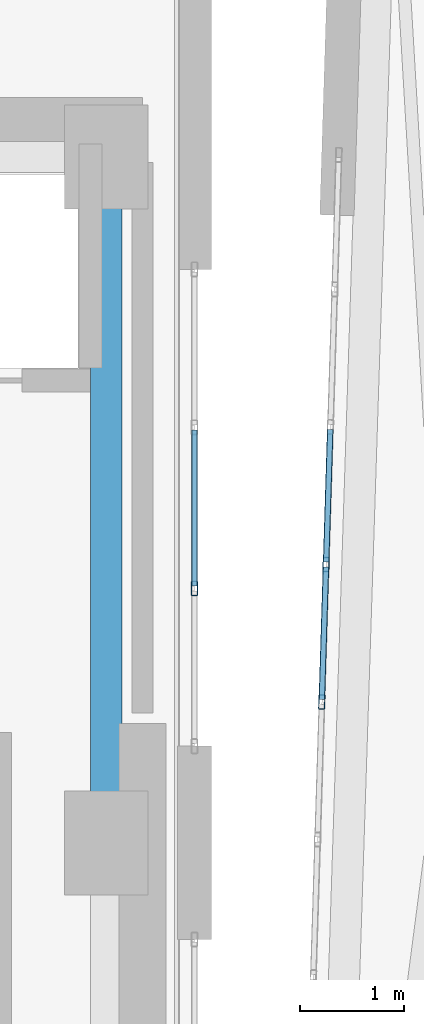
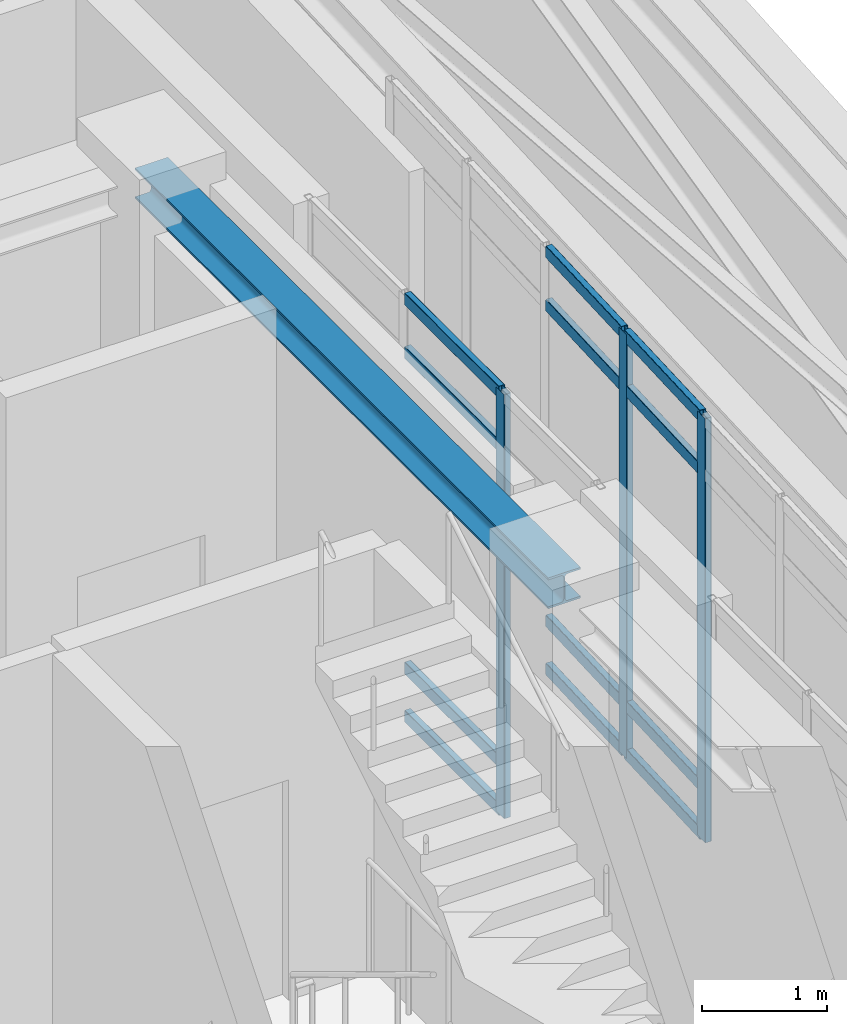
# One storey, part 9 of 19: 15 members, 1 beam, 2 elements without a shape of their own.
"""IFC4 building model written with IfcOpenShell, lengths in metres."""

from ifc_helpers import new_model, si_unit, direction, frame, origin, origin_2d, place, context, subcontext, project, spatial, hollow_rectangle, i_section, extrude, material, layer, layer_set, material_profile, profile_set, type_object, element, aggregate, save


model = new_model("IFC4")

# Units and contexts
model_context = context("Model", 3, precision=1e-05, world=origin(), true_north=direction((0.0, 1.0)))
body_context = subcontext(model_context, "Body", "Model", "MODEL_VIEW")
ifc_project = project(units=[si_unit("LENGTHUNIT", "METRE"), si_unit("AREAUNIT", "SQUARE_METRE"), si_unit("VOLUMEUNIT", "CUBIC_METRE"), si_unit("PLANEANGLEUNIT", "RADIAN"), si_unit("MASSUNIT", "GRAM", prefix="KILO")], contexts=[model_context])

# Site, building, storey
site_placement = place(None, origin())
site = spatial("IfcSite", under=ifc_project, at=site_placement, CompositionType="ELEMENT")
building_placement = place(site_placement, origin())
building = spatial("IfcBuilding", under=site, at=building_placement, Name="Ndelora Gate Hotel", CompositionType="ELEMENT")
storey_placement = place(building_placement, frame((0.0, 0.0, 286.0)))
storey = spatial("IfcBuildingStorey", under=building, at=storey_placement, Name="L71", CompositionType="ELEMENT", Elevation=286.0)

# Beam
ifc_material_1 = material(Name="Steel S355", Category="steel")
ifc_material_profile_1 = material_profile(ifc_material_1, i_section(OverallWidth=0.300048828125, OverallDepth=0.300048828125, WebThickness=0.010986328125, FlangeThickness=0.01904296875, FilletRadius=0.027099609375, at=origin_2d()), Name="HEB 300")
ifc_profile_set_1 = profile_set([ifc_material_profile_1], Name="Steel S355")
beam_type = type_object("IfcBeamType", Name="BM-CORE-300", PredefinedType="BEAM", material=ifc_profile_set_1)
beam_placement = place(storey_placement, frame((8.0, 0.0, 3.97998046875), z_axis=(0.0, 1.0, 0.0), x_axis=(-1.0, 0.0, 0.0)))
element("IfcBeam", 1, at=beam_placement, inside=storey, type_object=beam_type, Name="L71 Core Tie Girder CC4-CC5", PredefinedType="BEAM", context=body_context, shape_type="SweptSolid", body=[
    extrude(i_section(OverallWidth=0.300048828125, OverallDepth=0.300048828125, WebThickness=0.010986328125, FlangeThickness=0.01904296875, FilletRadius=0.027099609375, at=origin_2d()), origin(), (0.0, 0.0, 1.0), 6.60009765625),
])

# Curtain wall, member
ifc_material_2 = material(Name="Bronze Anodised Unitised Aluminium and Low-E Glass", Category="aluminium")
ifc_layer = layer(ifc_material_2, 0.199951171875)
ifc_layer_set = layer_set([ifc_layer], Name="Bronze Anodised Unitised Aluminium and Low-E Glass")
curtain_wall_type = type_object("IfcCurtainWallType", Name="CW-SYS-8", PredefinedType="NOTDEFINED", material=ifc_layer_set)
curtain_wall_1_placement = place(storey_placement, origin())
curtain_wall_1 = element("IfcCurtainWall", 2, at=curtain_wall_1_placement, inside=storey, type_object=curtain_wall_type, Name="L71 Split-Crown West Cleft Lantern Curtain Wall CW8-2", PredefinedType="NOTDEFINED")
ifc_material_3 = material(Name="Bronze Anodised Aluminium 6063-T6", Category="aluminium")
ifc_material_profile_2 = material_profile(ifc_material_3, hollow_rectangle(XDim=0.06005859375, YDim=0.139892578125, WallThickness=0.00390625, InnerFilletRadius=0.00390625, OuterFilletRadius=0.008056640625, at=origin_2d()), Name="ALU 140x60x4")
ifc_profile_set_2 = profile_set([ifc_material_profile_2], Name="Bronze Anodised Aluminium 6063-T6")
member_type_1 = type_object("IfcMemberType", Name="MB-CW-MUL140", PredefinedType="MULLION", material=ifc_profile_set_2)
member_1_placement = place(storey_placement, frame((8.85009765625, 2.449951171875, -0.00390625), z_axis=(0.0, 0.0, 1.0), x_axis=(-1.0, 0.0, 0.0)))
member_1 = element("IfcMember", 3, at=member_1_placement, type_object=member_type_1, Name="CW8 mullion 2", PredefinedType="MULLION", context=body_context, shape_type="SweptSolid", body=[
    extrude(hollow_rectangle(XDim=0.06005859375, YDim=0.139892578125, WallThickness=0.00390625, InnerFilletRadius=0.00390625, OuterFilletRadius=0.008056640625, at=origin_2d()), origin(), (0.0, 0.0, 1.0), 4.137939453125),
])

# Curtain wall, members
curtain_wall_2_placement = place(storey_placement, origin())
curtain_wall_2 = element("IfcCurtainWall", 4, at=curtain_wall_2_placement, inside=storey, type_object=curtain_wall_type, Name="L71 Split-Crown East Cleft Lantern Curtain Wall CW8", PredefinedType="NOTDEFINED")
member_2_placement = place(storey_placement, frame((10.115966796875, 2.68017578125, -0.00390625), z_axis=(0.0, 0.0, 1.0), x_axis=(0.999515302198, -0.031131345484, 0.0)))
member_2 = element("IfcMember", 5, at=member_2_placement, type_object=member_type_1, Name="CW8 mullion 4", PredefinedType="MULLION", context=body_context, shape_type="SweptSolid", body=[
    extrude(hollow_rectangle(XDim=0.06005859375, YDim=0.139892578125, WallThickness=0.00390625, InnerFilletRadius=0.00390625, OuterFilletRadius=0.008056640625, at=origin_2d()), origin(), (0.0, 0.0, 1.0), 4.137939453125),
])
member_3_placement = place(storey_placement, frame((10.074951171875, 1.356201171875, -0.00390625), z_axis=(0.0, 0.0, 1.0), x_axis=(0.999515302198, -0.031131345484, 0.0)))
member_3 = element("IfcMember", 6, at=member_3_placement, type_object=member_type_1, Name="CW8 mullion 5", PredefinedType="MULLION", context=body_context, shape_type="SweptSolid", body=[
    extrude(hollow_rectangle(XDim=0.06005859375, YDim=0.139892578125, WallThickness=0.00390625, InnerFilletRadius=0.00390625, OuterFilletRadius=0.008056640625, at=origin_2d()), origin(), (0.0, 0.0, 1.0), 4.137939453125),
])

# Member
ifc_material_profile_3 = material_profile(ifc_material_3, hollow_rectangle(XDim=0.06005859375, YDim=0.1201171875, WallThickness=0.00390625, InnerFilletRadius=0.00390625, OuterFilletRadius=0.008056640625, at=origin_2d()), Name="ALU 120x60x4")
ifc_profile_set_3 = profile_set([ifc_material_profile_3], Name="Bronze Anodised Aluminium 6063-T6")
member_type_2 = type_object("IfcMemberType", Name="MB-CW-TRN120", PredefinedType="USERDEFINED", material=ifc_profile_set_3)
member_4_placement = place(storey_placement, frame((8.85009765625, 2.47412109375, 0.030029296875), z_axis=(0.0, 1.0, 0.0), x_axis=(-1.0, 0.0, 0.0)))
member_4 = element("IfcMember", 7, at=member_4_placement, type_object=member_type_2, Name="CW8 transom 2.1", ObjectType="TRANSOM", PredefinedType="USERDEFINED", context=body_context, shape_type="SweptSolid", body=[
    extrude(hollow_rectangle(XDim=0.06005859375, YDim=0.1201171875, WallThickness=0.00390625, InnerFilletRadius=0.00390625, OuterFilletRadius=0.008056640625, at=origin_2d()), origin(), (0.0, 0.0, 1.0), 1.501953125),
])

member_5_placement = place(storey_placement, frame((8.85009765625, 2.47412109375, 0.5), z_axis=(0.0, 1.0, 0.0), x_axis=(-1.0, 0.0, 0.0)))
member_5 = element("IfcMember", 8, at=member_5_placement, type_object=member_type_2, Name="CW8 transom 2.2", ObjectType="TRANSOM", PredefinedType="USERDEFINED", context=body_context, shape_type="SweptSolid", body=[
    extrude(hollow_rectangle(XDim=0.06005859375, YDim=0.1201171875, WallThickness=0.00390625, InnerFilletRadius=0.00390625, OuterFilletRadius=0.008056640625, at=origin_2d()), origin(), (0.0, 0.0, 1.0), 1.501953125),
])

member_6_placement = place(storey_placement, frame((8.85009765625, 2.47412109375, 3.580078125), z_axis=(0.0, 1.0, 0.0), x_axis=(-1.0, 0.0, 0.0)))
member_6 = element("IfcMember", 9, at=member_6_placement, type_object=member_type_2, Name="CW8 transom 2.3", ObjectType="TRANSOM", PredefinedType="USERDEFINED", context=body_context, shape_type="SweptSolid", body=[
    extrude(hollow_rectangle(XDim=0.06005859375, YDim=0.1201171875, WallThickness=0.00390625, InnerFilletRadius=0.00390625, OuterFilletRadius=0.008056640625, at=origin_2d()), origin(), (0.0, 0.0, 1.0), 1.501953125),
])

member_7_placement = place(storey_placement, frame((8.85009765625, 2.47412109375, 4.10009765625), z_axis=(0.0, 1.0, 0.0), x_axis=(-1.0, 0.0, 0.0)))
member_7 = element("IfcMember", 10, at=member_7_placement, type_object=member_type_2, Name="CW8 transom 2.4", ObjectType="TRANSOM", PredefinedType="USERDEFINED", context=body_context, shape_type="SweptSolid", body=[
    extrude(hollow_rectangle(XDim=0.06005859375, YDim=0.1201171875, WallThickness=0.00390625, InnerFilletRadius=0.00390625, OuterFilletRadius=0.008056640625, at=origin_2d()), origin(), (0.0, 0.0, 1.0), 1.501953125),
])

aggregate(curtain_wall_1, [member_1, member_4, member_5, member_6, member_7])

member_8_placement = place(storey_placement, frame((10.156494140625, 3.980224609375, 0.030029296875), z_axis=(-0.030983968775, -0.999519881583, 0.0), x_axis=(0.999519881583, -0.030983968775, 0.0)))
member_8 = element("IfcMember", 11, at=member_8_placement, type_object=member_type_2, Name="CW8 transom 3.1", ObjectType="TRANSOM", PredefinedType="USERDEFINED", context=body_context, shape_type="SweptSolid", body=[
    extrude(hollow_rectangle(XDim=0.06005859375, YDim=0.1201171875, WallThickness=0.00390625, InnerFilletRadius=0.00390625, OuterFilletRadius=0.008056640625, at=origin_2d()), origin(), (0.0, 0.0, 1.0), 1.276611328125),
])

member_9_placement = place(storey_placement, frame((10.156494140625, 3.980224609375, 0.5), z_axis=(-0.030983968775, -0.999519881583, 0.0), x_axis=(0.999519881583, -0.030983968775, 0.0)))
member_9 = element("IfcMember", 12, at=member_9_placement, type_object=member_type_2, Name="CW8 transom 3.2", ObjectType="TRANSOM", PredefinedType="USERDEFINED", context=body_context, shape_type="SweptSolid", body=[
    extrude(hollow_rectangle(XDim=0.06005859375, YDim=0.1201171875, WallThickness=0.00390625, InnerFilletRadius=0.00390625, OuterFilletRadius=0.008056640625, at=origin_2d()), origin(), (0.0, 0.0, 1.0), 1.276611328125),
])

member_10_placement = place(storey_placement, frame((10.156494140625, 3.980224609375, 3.580078125), z_axis=(-0.030983968775, -0.999519881583, 0.0), x_axis=(0.999519881583, -0.030983968775, 0.0)))
member_10 = element("IfcMember", 13, at=member_10_placement, type_object=member_type_2, Name="CW8 transom 3.3", ObjectType="TRANSOM", PredefinedType="USERDEFINED", context=body_context, shape_type="SweptSolid", body=[
    extrude(hollow_rectangle(XDim=0.06005859375, YDim=0.1201171875, WallThickness=0.00390625, InnerFilletRadius=0.00390625, OuterFilletRadius=0.008056640625, at=origin_2d()), origin(), (0.0, 0.0, 1.0), 1.276611328125),
])

member_11_placement = place(storey_placement, frame((10.156494140625, 3.980224609375, 4.10009765625), z_axis=(-0.030983968775, -0.999519881583, 0.0), x_axis=(0.999519881583, -0.030983968775, 0.0)))
member_11 = element("IfcMember", 14, at=member_11_placement, type_object=member_type_2, Name="CW8 transom 3.4", ObjectType="TRANSOM", PredefinedType="USERDEFINED", context=body_context, shape_type="SweptSolid", body=[
    extrude(hollow_rectangle(XDim=0.06005859375, YDim=0.1201171875, WallThickness=0.00390625, InnerFilletRadius=0.00390625, OuterFilletRadius=0.008056640625, at=origin_2d()), origin(), (0.0, 0.0, 1.0), 1.276611328125),
])

member_12_placement = place(storey_placement, frame((10.115234375, 2.65625, 0.030029296875), z_axis=(-0.030978046786, -0.99952006514, 0.0), x_axis=(0.99952006514, -0.030978046786, 0.0)))
member_12 = element("IfcMember", 15, at=member_12_placement, type_object=member_type_2, Name="CW8 transom 4.1", ObjectType="TRANSOM", PredefinedType="USERDEFINED", context=body_context, shape_type="SweptSolid", body=[
    extrude(hollow_rectangle(XDim=0.06005859375, YDim=0.1201171875, WallThickness=0.00390625, InnerFilletRadius=0.00390625, OuterFilletRadius=0.008056640625, at=origin_2d()), origin(), (0.0, 0.0, 1.0), 1.27685546875),
])

member_13_placement = place(storey_placement, frame((10.115234375, 2.65625, 0.5), z_axis=(-0.030978046786, -0.99952006514, 0.0), x_axis=(0.99952006514, -0.030978046786, 0.0)))
member_13 = element("IfcMember", 16, at=member_13_placement, type_object=member_type_2, Name="CW8 transom 4.2", ObjectType="TRANSOM", PredefinedType="USERDEFINED", context=body_context, shape_type="SweptSolid", body=[
    extrude(hollow_rectangle(XDim=0.06005859375, YDim=0.1201171875, WallThickness=0.00390625, InnerFilletRadius=0.00390625, OuterFilletRadius=0.008056640625, at=origin_2d()), origin(), (0.0, 0.0, 1.0), 1.27685546875),
])

member_14_placement = place(storey_placement, frame((10.115234375, 2.65625, 3.580078125), z_axis=(-0.030978046786, -0.99952006514, 0.0), x_axis=(0.99952006514, -0.030978046786, 0.0)))
member_14 = element("IfcMember", 17, at=member_14_placement, type_object=member_type_2, Name="CW8 transom 4.3", ObjectType="TRANSOM", PredefinedType="USERDEFINED", context=body_context, shape_type="SweptSolid", body=[
    extrude(hollow_rectangle(XDim=0.06005859375, YDim=0.1201171875, WallThickness=0.00390625, InnerFilletRadius=0.00390625, OuterFilletRadius=0.008056640625, at=origin_2d()), origin(), (0.0, 0.0, 1.0), 1.27685546875),
])

member_15_placement = place(storey_placement, frame((10.115234375, 2.65625, 4.10009765625), z_axis=(-0.030978046786, -0.99952006514, 0.0), x_axis=(0.99952006514, -0.030978046786, 0.0)))
member_15 = element("IfcMember", 18, at=member_15_placement, type_object=member_type_2, Name="CW8 transom 4.4", ObjectType="TRANSOM", PredefinedType="USERDEFINED", context=body_context, shape_type="SweptSolid", body=[
    extrude(hollow_rectangle(XDim=0.06005859375, YDim=0.1201171875, WallThickness=0.00390625, InnerFilletRadius=0.00390625, OuterFilletRadius=0.008056640625, at=origin_2d()), origin(), (0.0, 0.0, 1.0), 1.27685546875),
])

aggregate(curtain_wall_2, [member_2, member_3, member_8, member_9, member_10, member_11, member_12, member_13, member_14, member_15])

save(model, "model.ifc")
